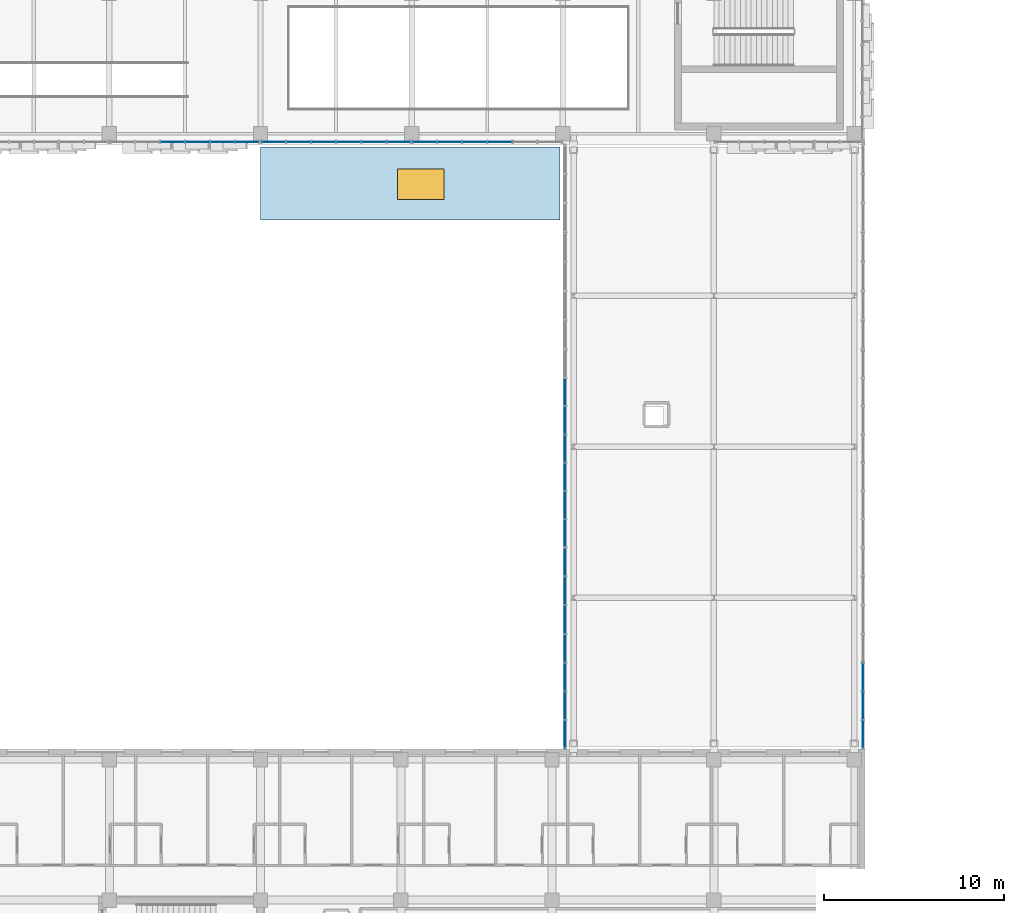
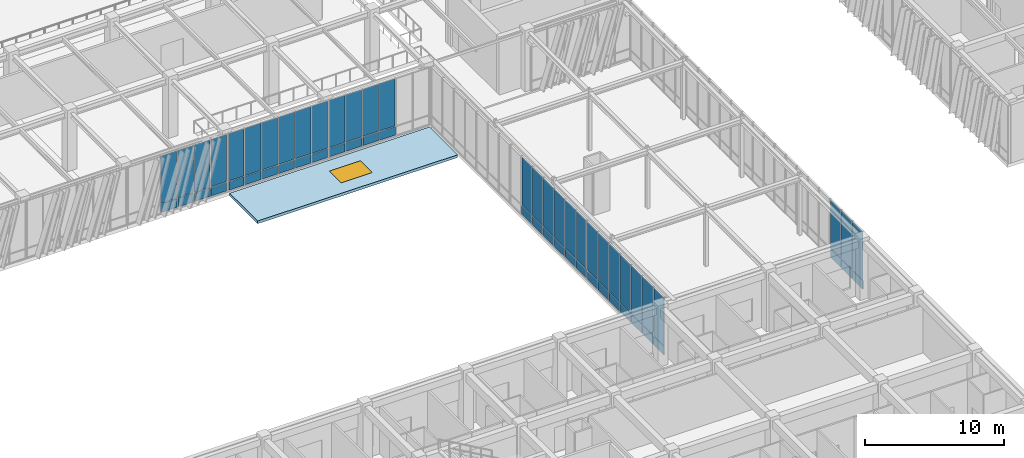
# One storey, part 88 of 139: 60 plates, 1 slab, 1 window, 1 opening, 6 elements without a shape of their own.
"""IFC4 building model written with IfcOpenShell, lengths in metres."""

from ifc_helpers import new_model, si_unit, direction, frame, origin, origin_2d, place, context, subcontext, project, spatial, polyline, rectangle, outline, extrude, material, layer, layer_set, type_object, element, fill, aggregate, save


model = new_model("IFC4")

# Units and contexts
model_context = context("Model", 3, precision=1e-05, world=origin(), true_north=direction((0.0, 1.0)))
body_context = subcontext(model_context, "Body", "Model", "MODEL_VIEW")
ifc_project = project(units=[si_unit("LENGTHUNIT", "METRE"), si_unit("AREAUNIT", "SQUARE_METRE"), si_unit("VOLUMEUNIT", "CUBIC_METRE"), si_unit("PLANEANGLEUNIT", "RADIAN"), si_unit("MASSUNIT", "GRAM", prefix="KILO")], contexts=[model_context])

# Site, building, storey
site_placement = place(None, origin())
site = spatial("IfcSite", under=ifc_project, at=site_placement, CompositionType="ELEMENT")
building_placement = place(site_placement, origin())
building = spatial("IfcBuilding", under=site, at=building_placement, Name="Zayran Congress Hotel", CompositionType="ELEMENT")
storey_placement = place(building_placement, frame((0.0, 0.0, 5.39990234375)))
storey = spatial("IfcBuildingStorey", under=building, at=storey_placement, Name="L01", CompositionType="ELEMENT", Elevation=5.39990234375)

# Slab, opening, window
ifc_material_1 = material(Name="Concrete C32/40", Category="concrete")
ifc_layer_1 = layer(ifc_material_1, 0.239990234375)
ifc_layer_set_1 = layer_set([ifc_layer_1], Name="Concrete C32/40")
slab_type = type_object("IfcSlabType", Name="SL-RF-240", PredefinedType="ROOF", material=ifc_layer_set_1)
slab_placement = place(storey_placement, frame((0.0, 0.0, -0.239990234375)))
slab = element("IfcSlab", 1, at=slab_placement, inside=storey, type_object=slab_type, Name="SLB-V1-CANOPY", PredefinedType="ROOF", context=body_context, shape_type="SweptSolid", body=[
    extrude(outline(polyline([(58.800048828125, 63.39990234375), (75.449951171875, 63.39990234375), (75.449951171875, 67.449951171875), (58.800048828125, 67.449951171875), (58.800048828125, 63.39990234375)])), origin(), (0.0, 0.0, 1.0), 0.239990234375),
])
opening_placement = place(slab_placement, frame((67.699951171875, 65.39990234375, -0.010009765625), z_axis=(0.0, 0.0, 1.0), x_axis=(1.0, 0.0, 0.0)))
opening = element("IfcOpeningElement", 2, at=opening_placement, cuts=slab, Name="Opening WIN-SKY-10", PredefinedType="OPENING", context=body_context, shape_type="SweptSolid", body=[
    extrude(rectangle(XDim=2.60009765625, YDim=1.699951171875, at=origin_2d()), origin(), (0.0, 0.0, 1.0), 0.260009765625),
])
ifc_material_2 = material(Name="Anodised aluminium and low-E insulated glass", Category="aluminium")
window_type = type_object("IfcWindowType", Name="TP-SK-05", PartitioningType="SINGLE_PANEL", PredefinedType="SKYLIGHT", material=ifc_material_2)
window_placement = place(opening_placement, frame((0.0, 0.0, 0.199951171875)))
window = element("IfcWindow", 3, at=window_placement, inside=storey, type_object=window_type, Name="Roof Skylight 10", OverallHeight=1.699951171875, OverallWidth=2.60009765625, PartitioningType="SINGLE_PANEL", PredefinedType="SKYLIGHT", context=body_context, shape_type="SweptSolid", body=[
    extrude(rectangle(XDim=2.60009765625, YDim=1.699951171875, at=origin_2d()), origin(), (0.0, 0.0, 1.0), 0.050048828125),
])
fill(opening, window)

# Curtain wall, plates
ifc_layer_2 = layer(ifc_material_2, 0.179931640625)
ifc_layer_set_2 = layer_set([ifc_layer_2], Name="Anodised aluminium and low-E insulated glass")
curtain_wall_type_1 = type_object("IfcCurtainWallType", Name="CW-V1S-L01-CW-13-8380-5080", PredefinedType="USERDEFINED", material=ifc_layer_set_2)
curtain_wall_1_placement = place(storey_placement, origin())
curtain_wall_1 = element("IfcCurtainWall", 4, at=curtain_wall_1_placement, inside=storey, type_object=curtain_wall_type_1, Name="CW-V1S-L01-5", ObjectType="CURTAIN WALL", PredefinedType="USERDEFINED")
ifc_layer_3 = layer(ifc_material_2, 0.028076171875)
ifc_layer_set_3 = layer_set([ifc_layer_3], Name="Anodised aluminium and low-E insulated glass")
plate_type_1 = type_object("IfcPlateType", Name="CWP-GL-1277-4150", PredefinedType="CURTAIN_PANEL", material=ifc_layer_set_3)
plate_1_placement = place(storey_placement, frame((53.901611328125, 67.75, 0.8701171875), z_axis=(0.0, 0.0, 1.0), x_axis=(1.0, 0.0, 0.0)))
plate_1 = element("IfcPlate", 5, at=plate_1_placement, type_object=plate_type_1, Name="CW-13 Glazed Panel 3", PredefinedType="CURTAIN_PANEL", context=body_context, shape_type="SweptSolid", body=[
    extrude(rectangle(XDim=1.316650390625, YDim=0.028076171875, at=origin_2d()), origin(), (0.0, 0.0, 1.0), 4.14990234375),
])
plate_2_placement = place(storey_placement, frame((55.29833984375, 67.75, 0.8701171875), z_axis=(0.0, 0.0, 1.0), x_axis=(1.0, 0.0, 0.0)))
plate_2 = element("IfcPlate", 6, at=plate_2_placement, type_object=plate_type_1, Name="CW-13 Glazed Panel 4", PredefinedType="CURTAIN_PANEL", context=body_context, shape_type="SweptSolid", body=[
    extrude(rectangle(XDim=1.316650390625, YDim=0.028076171875, at=origin_2d()), origin(), (0.0, 0.0, 1.0), 4.14990234375),
])
plate_3_placement = place(storey_placement, frame((56.695068359375, 67.75, 0.8701171875), z_axis=(0.0, 0.0, 1.0), x_axis=(1.0, 0.0, 0.0)))
plate_3 = element("IfcPlate", 7, at=plate_3_placement, type_object=plate_type_1, Name="CW-13 Glazed Panel 5", PredefinedType="CURTAIN_PANEL", context=body_context, shape_type="SweptSolid", body=[
    extrude(rectangle(XDim=1.316650390625, YDim=0.028076171875, at=origin_2d()), origin(), (0.0, 0.0, 1.0), 4.14990234375),
])
plate_4_placement = place(storey_placement, frame((58.07177734375, 67.75, 0.8701171875), z_axis=(0.0, 0.0, 1.0), x_axis=(1.0, 0.0, 0.0)))
plate_4 = element("IfcPlate", 8, at=plate_4_placement, type_object=plate_type_1, Name="CW-13 Glazed Panel 6", PredefinedType="CURTAIN_PANEL", context=body_context, shape_type="SweptSolid", body=[
    extrude(rectangle(XDim=1.276611328125, YDim=0.028076171875, at=origin_2d()), origin(), (0.0, 0.0, 1.0), 4.14990234375),
])

ifc_layer_4 = layer(ifc_material_2, 0.179931640625)
ifc_layer_set_4 = layer_set([ifc_layer_4], Name="Anodised aluminium and low-E insulated glass")
curtain_wall_type_2 = type_object("IfcCurtainWallType", Name="CW-V1S-L01-CW-11-8380-5080", PredefinedType="USERDEFINED", material=ifc_layer_set_4)
curtain_wall_2_placement = place(storey_placement, origin())
curtain_wall_2 = element("IfcCurtainWall", 9, at=curtain_wall_2_placement, inside=storey, type_object=curtain_wall_type_2, Name="CW-V1S-L01-6", ObjectType="CURTAIN WALL", PredefinedType="USERDEFINED")
plate_5_placement = place(storey_placement, frame((59.5283203125, 67.75, 0.8701171875), z_axis=(0.0, 0.0, 1.0), x_axis=(1.0, 0.0, 0.0)))
plate_5 = element("IfcPlate", 10, at=plate_5_placement, type_object=plate_type_1, Name="CW-11 Glazed Panel 1", PredefinedType="CURTAIN_PANEL", context=body_context, shape_type="SweptSolid", body=[
    extrude(rectangle(XDim=1.276611328125, YDim=0.028076171875, at=origin_2d()), origin(), (0.0, 0.0, 1.0), 4.14990234375),
])
plate_6_placement = place(storey_placement, frame((60.905029296875, 67.75, 0.8701171875), z_axis=(0.0, 0.0, 1.0), x_axis=(1.0, 0.0, 0.0)))
plate_6 = element("IfcPlate", 11, at=plate_6_placement, type_object=plate_type_1, Name="CW-11 Glazed Panel 2", PredefinedType="CURTAIN_PANEL", context=body_context, shape_type="SweptSolid", body=[
    extrude(rectangle(XDim=1.316650390625, YDim=0.028076171875, at=origin_2d()), origin(), (0.0, 0.0, 1.0), 4.14990234375),
])
plate_7_placement = place(storey_placement, frame((62.3017578125, 67.75, 0.8701171875), z_axis=(0.0, 0.0, 1.0), x_axis=(1.0, 0.0, 0.0)))
plate_7 = element("IfcPlate", 12, at=plate_7_placement, type_object=plate_type_1, Name="CW-11 Glazed Panel 3", PredefinedType="CURTAIN_PANEL", context=body_context, shape_type="SweptSolid", body=[
    extrude(rectangle(XDim=1.316650390625, YDim=0.028076171875, at=origin_2d()), origin(), (0.0, 0.0, 1.0), 4.14990234375),
])
plate_8_placement = place(storey_placement, frame((63.6982421875, 67.75, 0.8701171875), z_axis=(0.0, 0.0, 1.0), x_axis=(1.0, 0.0, 0.0)))
plate_8 = element("IfcPlate", 13, at=plate_8_placement, type_object=plate_type_1, Name="CW-11 Glazed Panel 4", PredefinedType="CURTAIN_PANEL", context=body_context, shape_type="SweptSolid", body=[
    extrude(rectangle(XDim=1.316650390625, YDim=0.028076171875, at=origin_2d()), origin(), (0.0, 0.0, 1.0), 4.14990234375),
])
plate_9_placement = place(storey_placement, frame((65.094970703125, 67.75, 0.8701171875), z_axis=(0.0, 0.0, 1.0), x_axis=(1.0, 0.0, 0.0)))
plate_9 = element("IfcPlate", 14, at=plate_9_placement, type_object=plate_type_1, Name="CW-11 Glazed Panel 5", PredefinedType="CURTAIN_PANEL", context=body_context, shape_type="SweptSolid", body=[
    extrude(rectangle(XDim=1.316650390625, YDim=0.028076171875, at=origin_2d()), origin(), (0.0, 0.0, 1.0), 4.14990234375),
])
plate_10_placement = place(storey_placement, frame((66.4716796875, 67.75, 0.8701171875), z_axis=(0.0, 0.0, 1.0), x_axis=(1.0, 0.0, 0.0)))
plate_10 = element("IfcPlate", 15, at=plate_10_placement, type_object=plate_type_1, Name="CW-11 Glazed Panel 6", PredefinedType="CURTAIN_PANEL", context=body_context, shape_type="SweptSolid", body=[
    extrude(rectangle(XDim=1.276611328125, YDim=0.028076171875, at=origin_2d()), origin(), (0.0, 0.0, 1.0), 4.14990234375),
])

ifc_layer_5 = layer(ifc_material_2, 0.179931640625)
ifc_layer_set_5 = layer_set([ifc_layer_5], Name="Anodised aluminium and low-E insulated glass")
curtain_wall_type_3 = type_object("IfcCurtainWallType", Name="CW-V1S-L01-CW-12-8380-5080", PredefinedType="USERDEFINED", material=ifc_layer_set_5)
curtain_wall_3_placement = place(storey_placement, origin())
curtain_wall_3 = element("IfcCurtainWall", 16, at=curtain_wall_3_placement, inside=storey, type_object=curtain_wall_type_3, Name="CW-V1S-L01-7", ObjectType="CURTAIN WALL", PredefinedType="USERDEFINED")
plate_11_placement = place(storey_placement, frame((67.92822265625, 67.75, 0.8701171875), z_axis=(0.0, 0.0, 1.0), x_axis=(1.0, 0.0, 0.0)))
plate_11 = element("IfcPlate", 17, at=plate_11_placement, type_object=plate_type_1, Name="CW-12 Glazed Panel 1", PredefinedType="CURTAIN_PANEL", context=body_context, shape_type="SweptSolid", body=[
    extrude(rectangle(XDim=1.276611328125, YDim=0.028076171875, at=origin_2d()), origin(), (0.0, 0.0, 1.0), 4.14990234375),
])
plate_12_placement = place(storey_placement, frame((69.304931640625, 67.75, 0.8701171875), z_axis=(0.0, 0.0, 1.0), x_axis=(1.0, 0.0, 0.0)))
plate_12 = element("IfcPlate", 18, at=plate_12_placement, type_object=plate_type_1, Name="CW-12 Glazed Panel 2", PredefinedType="CURTAIN_PANEL", context=body_context, shape_type="SweptSolid", body=[
    extrude(rectangle(XDim=1.316650390625, YDim=0.028076171875, at=origin_2d()), origin(), (0.0, 0.0, 1.0), 4.14990234375),
])
plate_13_placement = place(storey_placement, frame((70.70166015625, 67.75, 0.8701171875), z_axis=(0.0, 0.0, 1.0), x_axis=(1.0, 0.0, 0.0)))
plate_13 = element("IfcPlate", 19, at=plate_13_placement, type_object=plate_type_1, Name="CW-12 Glazed Panel 3", PredefinedType="CURTAIN_PANEL", context=body_context, shape_type="SweptSolid", body=[
    extrude(rectangle(XDim=1.316650390625, YDim=0.028076171875, at=origin_2d()), origin(), (0.0, 0.0, 1.0), 4.14990234375),
])
plate_14_placement = place(storey_placement, frame((72.098388671875, 67.75, 0.8701171875), z_axis=(0.0, 0.0, 1.0), x_axis=(1.0, 0.0, 0.0)))
plate_14 = element("IfcPlate", 20, at=plate_14_placement, type_object=plate_type_1, Name="CW-12 Glazed Panel 4", PredefinedType="CURTAIN_PANEL", context=body_context, shape_type="SweptSolid", body=[
    extrude(rectangle(XDim=1.316650390625, YDim=0.028076171875, at=origin_2d()), origin(), (0.0, 0.0, 1.0), 4.14990234375),
])

# Plate
ifc_material_3 = material(Name="Insulated warm bronze aluminium spandrel panel", Category="aluminium")
ifc_layer_6 = layer(ifc_material_3, 0.06005859375)
ifc_layer_set_6 = layer_set([ifc_layer_6], Name="Insulated warm bronze aluminium spandrel panel")
plate_type_2 = type_object("IfcPlateType", Name="CWP-SP-1277-750", PredefinedType="CURTAIN_PANEL", material=ifc_layer_set_6)
plate_15_placement = place(storey_placement, frame((53.901611328125, 67.75, 0.06005859375), z_axis=(0.0, 0.0, 1.0), x_axis=(1.0, 0.0, 0.0)))
plate_15 = element("IfcPlate", 21, at=plate_15_placement, type_object=plate_type_2, Name="CW-13 Spandrel Panel 3", PredefinedType="CURTAIN_PANEL", context=body_context, shape_type="SweptSolid", body=[
    extrude(rectangle(XDim=1.316650390625, YDim=0.06005859375, at=origin_2d()), origin(), (0.0, 0.0, 1.0), 0.75),
])

plate_16_placement = place(storey_placement, frame((55.29833984375, 67.75, 0.06005859375), z_axis=(0.0, 0.0, 1.0), x_axis=(1.0, 0.0, 0.0)))
plate_16 = element("IfcPlate", 22, at=plate_16_placement, type_object=plate_type_2, Name="CW-13 Spandrel Panel 4", PredefinedType="CURTAIN_PANEL", context=body_context, shape_type="SweptSolid", body=[
    extrude(rectangle(XDim=1.316650390625, YDim=0.06005859375, at=origin_2d()), origin(), (0.0, 0.0, 1.0), 0.75),
])

plate_17_placement = place(storey_placement, frame((56.695068359375, 67.75, 0.06005859375), z_axis=(0.0, 0.0, 1.0), x_axis=(1.0, 0.0, 0.0)))
plate_17 = element("IfcPlate", 23, at=plate_17_placement, type_object=plate_type_2, Name="CW-13 Spandrel Panel 5", PredefinedType="CURTAIN_PANEL", context=body_context, shape_type="SweptSolid", body=[
    extrude(rectangle(XDim=1.316650390625, YDim=0.06005859375, at=origin_2d()), origin(), (0.0, 0.0, 1.0), 0.75),
])

plate_18_placement = place(storey_placement, frame((58.07177734375, 67.75, 0.06005859375), z_axis=(0.0, 0.0, 1.0), x_axis=(1.0, 0.0, 0.0)))
plate_18 = element("IfcPlate", 24, at=plate_18_placement, type_object=plate_type_2, Name="CW-13 Spandrel Panel 6", PredefinedType="CURTAIN_PANEL", context=body_context, shape_type="SweptSolid", body=[
    extrude(rectangle(XDim=1.276611328125, YDim=0.06005859375, at=origin_2d()), origin(), (0.0, 0.0, 1.0), 0.75),
])

aggregate(curtain_wall_1, [plate_15, plate_1, plate_16, plate_2, plate_17, plate_3, plate_18, plate_4])

plate_19_placement = place(storey_placement, frame((59.5283203125, 67.75, 0.06005859375), z_axis=(0.0, 0.0, 1.0), x_axis=(1.0, 0.0, 0.0)))
plate_19 = element("IfcPlate", 25, at=plate_19_placement, type_object=plate_type_2, Name="CW-11 Spandrel Panel 1", PredefinedType="CURTAIN_PANEL", context=body_context, shape_type="SweptSolid", body=[
    extrude(rectangle(XDim=1.276611328125, YDim=0.06005859375, at=origin_2d()), origin(), (0.0, 0.0, 1.0), 0.75),
])

plate_20_placement = place(storey_placement, frame((60.905029296875, 67.75, 0.06005859375), z_axis=(0.0, 0.0, 1.0), x_axis=(1.0, 0.0, 0.0)))
plate_20 = element("IfcPlate", 26, at=plate_20_placement, type_object=plate_type_2, Name="CW-11 Spandrel Panel 2", PredefinedType="CURTAIN_PANEL", context=body_context, shape_type="SweptSolid", body=[
    extrude(rectangle(XDim=1.316650390625, YDim=0.06005859375, at=origin_2d()), origin(), (0.0, 0.0, 1.0), 0.75),
])

plate_21_placement = place(storey_placement, frame((62.3017578125, 67.75, 0.06005859375), z_axis=(0.0, 0.0, 1.0), x_axis=(1.0, 0.0, 0.0)))
plate_21 = element("IfcPlate", 27, at=plate_21_placement, type_object=plate_type_2, Name="CW-11 Spandrel Panel 3", PredefinedType="CURTAIN_PANEL", context=body_context, shape_type="SweptSolid", body=[
    extrude(rectangle(XDim=1.316650390625, YDim=0.06005859375, at=origin_2d()), origin(), (0.0, 0.0, 1.0), 0.75),
])

plate_22_placement = place(storey_placement, frame((63.6982421875, 67.75, 0.06005859375), z_axis=(0.0, 0.0, 1.0), x_axis=(1.0, 0.0, 0.0)))
plate_22 = element("IfcPlate", 28, at=plate_22_placement, type_object=plate_type_2, Name="CW-11 Spandrel Panel 4", PredefinedType="CURTAIN_PANEL", context=body_context, shape_type="SweptSolid", body=[
    extrude(rectangle(XDim=1.316650390625, YDim=0.06005859375, at=origin_2d()), origin(), (0.0, 0.0, 1.0), 0.75),
])

plate_23_placement = place(storey_placement, frame((65.094970703125, 67.75, 0.06005859375), z_axis=(0.0, 0.0, 1.0), x_axis=(1.0, 0.0, 0.0)))
plate_23 = element("IfcPlate", 29, at=plate_23_placement, type_object=plate_type_2, Name="CW-11 Spandrel Panel 5", PredefinedType="CURTAIN_PANEL", context=body_context, shape_type="SweptSolid", body=[
    extrude(rectangle(XDim=1.316650390625, YDim=0.06005859375, at=origin_2d()), origin(), (0.0, 0.0, 1.0), 0.75),
])

plate_24_placement = place(storey_placement, frame((66.4716796875, 67.75, 0.06005859375), z_axis=(0.0, 0.0, 1.0), x_axis=(1.0, 0.0, 0.0)))
plate_24 = element("IfcPlate", 30, at=plate_24_placement, type_object=plate_type_2, Name="CW-11 Spandrel Panel 6", PredefinedType="CURTAIN_PANEL", context=body_context, shape_type="SweptSolid", body=[
    extrude(rectangle(XDim=1.276611328125, YDim=0.06005859375, at=origin_2d()), origin(), (0.0, 0.0, 1.0), 0.75),
])

aggregate(curtain_wall_2, [plate_19, plate_5, plate_20, plate_6, plate_21, plate_7, plate_22, plate_8, plate_23, plate_9, plate_24, plate_10])

plate_25_placement = place(storey_placement, frame((67.92822265625, 67.75, 0.06005859375), z_axis=(0.0, 0.0, 1.0), x_axis=(1.0, 0.0, 0.0)))
plate_25 = element("IfcPlate", 31, at=plate_25_placement, type_object=plate_type_2, Name="CW-12 Spandrel Panel 1", PredefinedType="CURTAIN_PANEL", context=body_context, shape_type="SweptSolid", body=[
    extrude(rectangle(XDim=1.276611328125, YDim=0.06005859375, at=origin_2d()), origin(), (0.0, 0.0, 1.0), 0.75),
])

plate_26_placement = place(storey_placement, frame((69.304931640625, 67.75, 0.06005859375), z_axis=(0.0, 0.0, 1.0), x_axis=(1.0, 0.0, 0.0)))
plate_26 = element("IfcPlate", 32, at=plate_26_placement, type_object=plate_type_2, Name="CW-12 Spandrel Panel 2", PredefinedType="CURTAIN_PANEL", context=body_context, shape_type="SweptSolid", body=[
    extrude(rectangle(XDim=1.316650390625, YDim=0.06005859375, at=origin_2d()), origin(), (0.0, 0.0, 1.0), 0.75),
])

plate_27_placement = place(storey_placement, frame((70.70166015625, 67.75, 0.06005859375), z_axis=(0.0, 0.0, 1.0), x_axis=(1.0, 0.0, 0.0)))
plate_27 = element("IfcPlate", 33, at=plate_27_placement, type_object=plate_type_2, Name="CW-12 Spandrel Panel 3", PredefinedType="CURTAIN_PANEL", context=body_context, shape_type="SweptSolid", body=[
    extrude(rectangle(XDim=1.316650390625, YDim=0.06005859375, at=origin_2d()), origin(), (0.0, 0.0, 1.0), 0.75),
])

plate_28_placement = place(storey_placement, frame((72.098388671875, 67.75, 0.06005859375), z_axis=(0.0, 0.0, 1.0), x_axis=(1.0, 0.0, 0.0)))
plate_28 = element("IfcPlate", 34, at=plate_28_placement, type_object=plate_type_2, Name="CW-12 Spandrel Panel 4", PredefinedType="CURTAIN_PANEL", context=body_context, shape_type="SweptSolid", body=[
    extrude(rectangle(XDim=1.316650390625, YDim=0.06005859375, at=origin_2d()), origin(), (0.0, 0.0, 1.0), 0.75),
])

aggregate(curtain_wall_3, [plate_25, plate_11, plate_26, plate_12, plate_27, plate_13, plate_28, plate_14])

# Curtain wall, plates
ifc_layer_7 = layer(ifc_material_2, 0.179931640625)
ifc_layer_set_7 = layer_set([ifc_layer_7], Name="Anodised aluminium and low-E insulated glass")
curtain_wall_type_4 = type_object("IfcCurtainWallType", Name="CW-BR2-L01-CW-BR2-11200-5160", PredefinedType="USERDEFINED", material=ifc_layer_set_7)
curtain_wall_4_placement = place(storey_placement, origin())
curtain_wall_4 = element("IfcCurtainWall", 35, at=curtain_wall_4_placement, inside=storey, type_object=curtain_wall_type_4, Name="CW-BR2W-L01-0", ObjectType="CURTAIN WALL", PredefinedType="USERDEFINED")
ifc_layer_8 = layer(ifc_material_3, 0.06005859375)
ifc_layer_set_8 = layer_set([ifc_layer_8], Name="Insulated warm bronze aluminium spandrel panel")
plate_type_3 = type_object("IfcPlateType", Name="CWP-SP-1480-750", PredefinedType="CURTAIN_PANEL", material=ifc_layer_set_8)
plate_29_placement = place(storey_placement, frame((75.719970703125, 44.3798828125, 0.06005859375), z_axis=(0.0, 0.0, 1.0), x_axis=(0.0, 1.0, 0.0)))
plate_29 = element("IfcPlate", 36, at=plate_29_placement, type_object=plate_type_3, Name="CW-BR2 Spandrel Panel 1", PredefinedType="CURTAIN_PANEL", context=body_context, shape_type="SweptSolid", body=[
    extrude(rectangle(XDim=1.47998046875, YDim=0.06005859375, at=origin_2d()), origin(), (0.0, 0.0, 1.0), 0.75),
])
plate_30_placement = place(storey_placement, frame((75.719970703125, 42.800048828125, 0.06005859375), z_axis=(0.0, 0.0, 1.0), x_axis=(0.0, 1.0, 0.0)))
plate_30 = element("IfcPlate", 37, at=plate_30_placement, type_object=plate_type_3, Name="CW-BR2 Spandrel Panel 2", PredefinedType="CURTAIN_PANEL", context=body_context, shape_type="SweptSolid", body=[
    extrude(rectangle(XDim=1.52001953125, YDim=0.06005859375, at=origin_2d()), origin(), (0.0, 0.0, 1.0), 0.75),
])
plate_31_placement = place(storey_placement, frame((75.719970703125, 41.199951171875, 0.06005859375), z_axis=(0.0, 0.0, 1.0), x_axis=(0.0, 1.0, 0.0)))
plate_31 = element("IfcPlate", 38, at=plate_31_placement, type_object=plate_type_3, Name="CW-BR2 Spandrel Panel 3", PredefinedType="CURTAIN_PANEL", context=body_context, shape_type="SweptSolid", body=[
    extrude(rectangle(XDim=1.52001953125, YDim=0.06005859375, at=origin_2d()), origin(), (0.0, 0.0, 1.0), 0.75),
])
plate_32_placement = place(storey_placement, frame((75.719970703125, 39.60009765625, 0.06005859375), z_axis=(0.0, 0.0, 1.0), x_axis=(0.0, 1.0, 0.0)))
plate_32 = element("IfcPlate", 39, at=plate_32_placement, type_object=plate_type_3, Name="CW-BR2 Spandrel Panel 4", PredefinedType="CURTAIN_PANEL", context=body_context, shape_type="SweptSolid", body=[
    extrude(rectangle(XDim=1.52001953125, YDim=0.06005859375, at=origin_2d()), origin(), (0.0, 0.0, 1.0), 0.75),
])
plate_33_placement = place(storey_placement, frame((75.719970703125, 38.0, 0.06005859375), z_axis=(0.0, 0.0, 1.0), x_axis=(0.0, 1.0, 0.0)))
plate_33 = element("IfcPlate", 40, at=plate_33_placement, type_object=plate_type_3, Name="CW-BR2 Spandrel Panel 5", PredefinedType="CURTAIN_PANEL", context=body_context, shape_type="SweptSolid", body=[
    extrude(rectangle(XDim=1.52001953125, YDim=0.06005859375, at=origin_2d()), origin(), (0.0, 0.0, 1.0), 0.75),
])
plate_34_placement = place(storey_placement, frame((75.719970703125, 36.39990234375, 0.06005859375), z_axis=(0.0, 0.0, 1.0), x_axis=(0.0, 1.0, 0.0)))
plate_34 = element("IfcPlate", 41, at=plate_34_placement, type_object=plate_type_3, Name="CW-BR2 Spandrel Panel 6", PredefinedType="CURTAIN_PANEL", context=body_context, shape_type="SweptSolid", body=[
    extrude(rectangle(XDim=1.52001953125, YDim=0.06005859375, at=origin_2d()), origin(), (0.0, 0.0, 1.0), 0.75),
])
plate_35_placement = place(storey_placement, frame((75.719970703125, 34.820068359375, 0.06005859375), z_axis=(0.0, 0.0, 1.0), x_axis=(0.0, 1.0, 0.0)))
plate_35 = element("IfcPlate", 42, at=plate_35_placement, type_object=plate_type_3, Name="CW-BR2 Spandrel Panel 7", PredefinedType="CURTAIN_PANEL", context=body_context, shape_type="SweptSolid", body=[
    extrude(rectangle(XDim=1.47998046875, YDim=0.06005859375, at=origin_2d()), origin(), (0.0, 0.0, 1.0), 0.75),
])

curtain_wall_5_placement = place(storey_placement, origin())
curtain_wall_5 = element("IfcCurtainWall", 43, at=curtain_wall_5_placement, inside=storey, type_object=curtain_wall_type_4, Name="CW-BR2E-L01-0", ObjectType="CURTAIN WALL", PredefinedType="USERDEFINED")
plate_36_placement = place(storey_placement, frame((92.280029296875, 34.820068359375, 0.06005859375), z_axis=(0.0, 0.0, 1.0), x_axis=(0.0, 1.0, 0.0)))
plate_36 = element("IfcPlate", 44, at=plate_36_placement, type_object=plate_type_3, Name="CW-BR2 Spandrel Panel 1", PredefinedType="CURTAIN_PANEL", context=body_context, shape_type="SweptSolid", body=[
    extrude(rectangle(XDim=1.47998046875, YDim=0.06005859375, at=origin_2d()), origin(), (0.0, 0.0, 1.0), 0.75),
])
plate_37_placement = place(storey_placement, frame((92.280029296875, 36.39990234375, 0.06005859375), z_axis=(0.0, 0.0, 1.0), x_axis=(0.0, 1.0, 0.0)))
plate_37 = element("IfcPlate", 45, at=plate_37_placement, type_object=plate_type_3, Name="CW-BR2 Spandrel Panel 2", PredefinedType="CURTAIN_PANEL", context=body_context, shape_type="SweptSolid", body=[
    extrude(rectangle(XDim=1.52001953125, YDim=0.06005859375, at=origin_2d()), origin(), (0.0, 0.0, 1.0), 0.75),
])
plate_38_placement = place(storey_placement, frame((92.280029296875, 38.0, 0.06005859375), z_axis=(0.0, 0.0, 1.0), x_axis=(0.0, 1.0, 0.0)))
plate_38 = element("IfcPlate", 46, at=plate_38_placement, type_object=plate_type_3, Name="CW-BR2 Spandrel Panel 3", PredefinedType="CURTAIN_PANEL", context=body_context, shape_type="SweptSolid", body=[
    extrude(rectangle(XDim=1.52001953125, YDim=0.06005859375, at=origin_2d()), origin(), (0.0, 0.0, 1.0), 0.75),
])

ifc_layer_9 = layer(ifc_material_2, 0.179931640625)
ifc_layer_set_9 = layer_set([ifc_layer_9], Name="Anodised aluminium and low-E insulated glass")
curtain_wall_type_5 = type_object("IfcCurtainWallType", Name="CW-BR2-L01-CW-BR2-11000-5160", PredefinedType="USERDEFINED", material=ifc_layer_set_9)
curtain_wall_6_placement = place(storey_placement, origin())
curtain_wall_6 = element("IfcCurtainWall", 47, at=curtain_wall_6_placement, inside=storey, type_object=curtain_wall_type_5, Name="CW-BR2W-L01-1", ObjectType="CURTAIN WALL", PredefinedType="USERDEFINED")
ifc_layer_10 = layer(ifc_material_3, 0.06005859375)
ifc_layer_set_10 = layer_set([ifc_layer_10], Name="Insulated warm bronze aluminium spandrel panel")
plate_type_4 = type_object("IfcPlateType", Name="CWP-SP-1451-750", PredefinedType="CURTAIN_PANEL", material=ifc_layer_set_10)
plate_39_placement = place(storey_placement, frame((75.719970703125, 53.843017578125, 0.06005859375), z_axis=(0.0, 0.0, 1.0), x_axis=(0.0, 1.0, 0.0)))
plate_39 = element("IfcPlate", 48, at=plate_39_placement, type_object=plate_type_4, Name="CW-BR2 Spandrel Panel 2", PredefinedType="CURTAIN_PANEL", context=body_context, shape_type="SweptSolid", body=[
    extrude(rectangle(XDim=1.491455078125, YDim=0.06005859375, at=origin_2d()), origin(), (0.0, 0.0, 1.0), 0.75),
])
plate_40_placement = place(storey_placement, frame((75.719970703125, 52.271484375, 0.06005859375), z_axis=(0.0, 0.0, 1.0), x_axis=(0.0, 1.0, 0.0)))
plate_40 = element("IfcPlate", 49, at=plate_40_placement, type_object=plate_type_4, Name="CW-BR2 Spandrel Panel 3", PredefinedType="CURTAIN_PANEL", context=body_context, shape_type="SweptSolid", body=[
    extrude(rectangle(XDim=1.491455078125, YDim=0.06005859375, at=origin_2d()), origin(), (0.0, 0.0, 1.0), 0.75),
])
plate_41_placement = place(storey_placement, frame((75.719970703125, 50.699951171875, 0.06005859375), z_axis=(0.0, 0.0, 1.0), x_axis=(0.0, 1.0, 0.0)))
plate_41 = element("IfcPlate", 50, at=plate_41_placement, type_object=plate_type_4, Name="CW-BR2 Spandrel Panel 4", PredefinedType="CURTAIN_PANEL", context=body_context, shape_type="SweptSolid", body=[
    extrude(rectangle(XDim=1.491455078125, YDim=0.06005859375, at=origin_2d()), origin(), (0.0, 0.0, 1.0), 0.75),
])
plate_42_placement = place(storey_placement, frame((75.719970703125, 49.128662109375, 0.06005859375), z_axis=(0.0, 0.0, 1.0), x_axis=(0.0, 1.0, 0.0)))
plate_42 = element("IfcPlate", 51, at=plate_42_placement, type_object=plate_type_4, Name="CW-BR2 Spandrel Panel 5", PredefinedType="CURTAIN_PANEL", context=body_context, shape_type="SweptSolid", body=[
    extrude(rectangle(XDim=1.491455078125, YDim=0.06005859375, at=origin_2d()), origin(), (0.0, 0.0, 1.0), 0.75),
])
plate_43_placement = place(storey_placement, frame((75.719970703125, 47.55712890625, 0.06005859375), z_axis=(0.0, 0.0, 1.0), x_axis=(0.0, 1.0, 0.0)))
plate_43 = element("IfcPlate", 52, at=plate_43_placement, type_object=plate_type_4, Name="CW-BR2 Spandrel Panel 6", PredefinedType="CURTAIN_PANEL", context=body_context, shape_type="SweptSolid", body=[
    extrude(rectangle(XDim=1.491455078125, YDim=0.06005859375, at=origin_2d()), origin(), (0.0, 0.0, 1.0), 0.75),
])
plate_44_placement = place(storey_placement, frame((75.719970703125, 46.005615234375, 0.06005859375), z_axis=(0.0, 0.0, 1.0), x_axis=(0.0, 1.0, 0.0)))
plate_44 = element("IfcPlate", 53, at=plate_44_placement, type_object=plate_type_4, Name="CW-BR2 Spandrel Panel 7", PredefinedType="CURTAIN_PANEL", context=body_context, shape_type="SweptSolid", body=[
    extrude(rectangle(XDim=1.451416015625, YDim=0.06005859375, at=origin_2d()), origin(), (0.0, 0.0, 1.0), 0.75),
])

# Plate
ifc_layer_11 = layer(ifc_material_2, 0.028076171875)
ifc_layer_set_11 = layer_set([ifc_layer_11], Name="Anodised aluminium and low-E insulated glass")
plate_type_5 = type_object("IfcPlateType", Name="CWP-GL-1480-4230", PredefinedType="CURTAIN_PANEL", material=ifc_layer_set_11)
plate_45_placement = place(storey_placement, frame((75.719970703125, 44.3798828125, 0.8701171875), z_axis=(0.0, 0.0, 1.0), x_axis=(0.0, 1.0, 0.0)))
plate_45 = element("IfcPlate", 54, at=plate_45_placement, type_object=plate_type_5, Name="CW-BR2 Glazed Panel 1", PredefinedType="CURTAIN_PANEL", context=body_context, shape_type="SweptSolid", body=[
    extrude(rectangle(XDim=1.47998046875, YDim=0.028076171875, at=origin_2d()), origin(), (0.0, 0.0, 1.0), 4.22998046875),
])

plate_46_placement = place(storey_placement, frame((75.719970703125, 42.800048828125, 0.8701171875), z_axis=(0.0, 0.0, 1.0), x_axis=(0.0, 1.0, 0.0)))
plate_46 = element("IfcPlate", 55, at=plate_46_placement, type_object=plate_type_5, Name="CW-BR2 Glazed Panel 2", PredefinedType="CURTAIN_PANEL", context=body_context, shape_type="SweptSolid", body=[
    extrude(rectangle(XDim=1.52001953125, YDim=0.028076171875, at=origin_2d()), origin(), (0.0, 0.0, 1.0), 4.22998046875),
])

plate_47_placement = place(storey_placement, frame((75.719970703125, 41.199951171875, 0.8701171875), z_axis=(0.0, 0.0, 1.0), x_axis=(0.0, 1.0, 0.0)))
plate_47 = element("IfcPlate", 56, at=plate_47_placement, type_object=plate_type_5, Name="CW-BR2 Glazed Panel 3", PredefinedType="CURTAIN_PANEL", context=body_context, shape_type="SweptSolid", body=[
    extrude(rectangle(XDim=1.52001953125, YDim=0.028076171875, at=origin_2d()), origin(), (0.0, 0.0, 1.0), 4.22998046875),
])

plate_48_placement = place(storey_placement, frame((75.719970703125, 39.60009765625, 0.8701171875), z_axis=(0.0, 0.0, 1.0), x_axis=(0.0, 1.0, 0.0)))
plate_48 = element("IfcPlate", 57, at=plate_48_placement, type_object=plate_type_5, Name="CW-BR2 Glazed Panel 4", PredefinedType="CURTAIN_PANEL", context=body_context, shape_type="SweptSolid", body=[
    extrude(rectangle(XDim=1.52001953125, YDim=0.028076171875, at=origin_2d()), origin(), (0.0, 0.0, 1.0), 4.22998046875),
])

plate_49_placement = place(storey_placement, frame((75.719970703125, 38.0, 0.8701171875), z_axis=(0.0, 0.0, 1.0), x_axis=(0.0, 1.0, 0.0)))
plate_49 = element("IfcPlate", 58, at=plate_49_placement, type_object=plate_type_5, Name="CW-BR2 Glazed Panel 5", PredefinedType="CURTAIN_PANEL", context=body_context, shape_type="SweptSolid", body=[
    extrude(rectangle(XDim=1.52001953125, YDim=0.028076171875, at=origin_2d()), origin(), (0.0, 0.0, 1.0), 4.22998046875),
])

plate_50_placement = place(storey_placement, frame((75.719970703125, 36.39990234375, 0.8701171875), z_axis=(0.0, 0.0, 1.0), x_axis=(0.0, 1.0, 0.0)))
plate_50 = element("IfcPlate", 59, at=plate_50_placement, type_object=plate_type_5, Name="CW-BR2 Glazed Panel 6", PredefinedType="CURTAIN_PANEL", context=body_context, shape_type="SweptSolid", body=[
    extrude(rectangle(XDim=1.52001953125, YDim=0.028076171875, at=origin_2d()), origin(), (0.0, 0.0, 1.0), 4.22998046875),
])

plate_51_placement = place(storey_placement, frame((75.719970703125, 34.820068359375, 0.8701171875), z_axis=(0.0, 0.0, 1.0), x_axis=(0.0, 1.0, 0.0)))
plate_51 = element("IfcPlate", 60, at=plate_51_placement, type_object=plate_type_5, Name="CW-BR2 Glazed Panel 7", PredefinedType="CURTAIN_PANEL", context=body_context, shape_type="SweptSolid", body=[
    extrude(rectangle(XDim=1.47998046875, YDim=0.028076171875, at=origin_2d()), origin(), (0.0, 0.0, 1.0), 4.22998046875),
])

aggregate(curtain_wall_4, [plate_29, plate_45, plate_30, plate_46, plate_31, plate_47, plate_32, plate_48, plate_33, plate_49, plate_34, plate_50, plate_35, plate_51])

plate_52_placement = place(storey_placement, frame((92.280029296875, 34.820068359375, 0.8701171875), z_axis=(0.0, 0.0, 1.0), x_axis=(0.0, 1.0, 0.0)))
plate_52 = element("IfcPlate", 61, at=plate_52_placement, type_object=plate_type_5, Name="CW-BR2 Glazed Panel 1", PredefinedType="CURTAIN_PANEL", context=body_context, shape_type="SweptSolid", body=[
    extrude(rectangle(XDim=1.47998046875, YDim=0.028076171875, at=origin_2d()), origin(), (0.0, 0.0, 1.0), 4.22998046875),
])

plate_53_placement = place(storey_placement, frame((92.280029296875, 36.39990234375, 0.8701171875), z_axis=(0.0, 0.0, 1.0), x_axis=(0.0, 1.0, 0.0)))
plate_53 = element("IfcPlate", 62, at=plate_53_placement, type_object=plate_type_5, Name="CW-BR2 Glazed Panel 2", PredefinedType="CURTAIN_PANEL", context=body_context, shape_type="SweptSolid", body=[
    extrude(rectangle(XDim=1.52001953125, YDim=0.028076171875, at=origin_2d()), origin(), (0.0, 0.0, 1.0), 4.22998046875),
])

plate_54_placement = place(storey_placement, frame((92.280029296875, 38.0, 0.8701171875), z_axis=(0.0, 0.0, 1.0), x_axis=(0.0, 1.0, 0.0)))
plate_54 = element("IfcPlate", 63, at=plate_54_placement, type_object=plate_type_5, Name="CW-BR2 Glazed Panel 3", PredefinedType="CURTAIN_PANEL", context=body_context, shape_type="SweptSolid", body=[
    extrude(rectangle(XDim=1.52001953125, YDim=0.028076171875, at=origin_2d()), origin(), (0.0, 0.0, 1.0), 4.22998046875),
])

aggregate(curtain_wall_5, [plate_36, plate_52, plate_37, plate_53, plate_38, plate_54])

ifc_layer_12 = layer(ifc_material_2, 0.028076171875)
ifc_layer_set_12 = layer_set([ifc_layer_12], Name="Anodised aluminium and low-E insulated glass")
plate_type_6 = type_object("IfcPlateType", Name="CWP-GL-1451-4230", PredefinedType="CURTAIN_PANEL", material=ifc_layer_set_12)
plate_55_placement = place(storey_placement, frame((75.719970703125, 53.843017578125, 0.8701171875), z_axis=(0.0, 0.0, 1.0), x_axis=(0.0, 1.0, 0.0)))
plate_55 = element("IfcPlate", 64, at=plate_55_placement, type_object=plate_type_6, Name="CW-BR2 Glazed Panel 2", PredefinedType="CURTAIN_PANEL", context=body_context, shape_type="SweptSolid", body=[
    extrude(rectangle(XDim=1.491455078125, YDim=0.028076171875, at=origin_2d()), origin(), (0.0, 0.0, 1.0), 4.22998046875),
])

plate_56_placement = place(storey_placement, frame((75.719970703125, 52.271484375, 0.8701171875), z_axis=(0.0, 0.0, 1.0), x_axis=(0.0, 1.0, 0.0)))
plate_56 = element("IfcPlate", 65, at=plate_56_placement, type_object=plate_type_6, Name="CW-BR2 Glazed Panel 3", PredefinedType="CURTAIN_PANEL", context=body_context, shape_type="SweptSolid", body=[
    extrude(rectangle(XDim=1.491455078125, YDim=0.028076171875, at=origin_2d()), origin(), (0.0, 0.0, 1.0), 4.22998046875),
])

plate_57_placement = place(storey_placement, frame((75.719970703125, 50.699951171875, 0.8701171875), z_axis=(0.0, 0.0, 1.0), x_axis=(0.0, 1.0, 0.0)))
plate_57 = element("IfcPlate", 66, at=plate_57_placement, type_object=plate_type_6, Name="CW-BR2 Glazed Panel 4", PredefinedType="CURTAIN_PANEL", context=body_context, shape_type="SweptSolid", body=[
    extrude(rectangle(XDim=1.491455078125, YDim=0.028076171875, at=origin_2d()), origin(), (0.0, 0.0, 1.0), 4.22998046875),
])

plate_58_placement = place(storey_placement, frame((75.719970703125, 49.128662109375, 0.8701171875), z_axis=(0.0, 0.0, 1.0), x_axis=(0.0, 1.0, 0.0)))
plate_58 = element("IfcPlate", 67, at=plate_58_placement, type_object=plate_type_6, Name="CW-BR2 Glazed Panel 5", PredefinedType="CURTAIN_PANEL", context=body_context, shape_type="SweptSolid", body=[
    extrude(rectangle(XDim=1.491455078125, YDim=0.028076171875, at=origin_2d()), origin(), (0.0, 0.0, 1.0), 4.22998046875),
])

plate_59_placement = place(storey_placement, frame((75.719970703125, 47.55712890625, 0.8701171875), z_axis=(0.0, 0.0, 1.0), x_axis=(0.0, 1.0, 0.0)))
plate_59 = element("IfcPlate", 68, at=plate_59_placement, type_object=plate_type_6, Name="CW-BR2 Glazed Panel 6", PredefinedType="CURTAIN_PANEL", context=body_context, shape_type="SweptSolid", body=[
    extrude(rectangle(XDim=1.491455078125, YDim=0.028076171875, at=origin_2d()), origin(), (0.0, 0.0, 1.0), 4.22998046875),
])

plate_60_placement = place(storey_placement, frame((75.719970703125, 46.005615234375, 0.8701171875), z_axis=(0.0, 0.0, 1.0), x_axis=(0.0, 1.0, 0.0)))
plate_60 = element("IfcPlate", 69, at=plate_60_placement, type_object=plate_type_6, Name="CW-BR2 Glazed Panel 7", PredefinedType="CURTAIN_PANEL", context=body_context, shape_type="SweptSolid", body=[
    extrude(rectangle(XDim=1.451416015625, YDim=0.028076171875, at=origin_2d()), origin(), (0.0, 0.0, 1.0), 4.22998046875),
])

aggregate(curtain_wall_6, [plate_39, plate_55, plate_40, plate_56, plate_41, plate_57, plate_42, plate_58, plate_43, plate_59, plate_44, plate_60])

save(model, "model.ifc")
